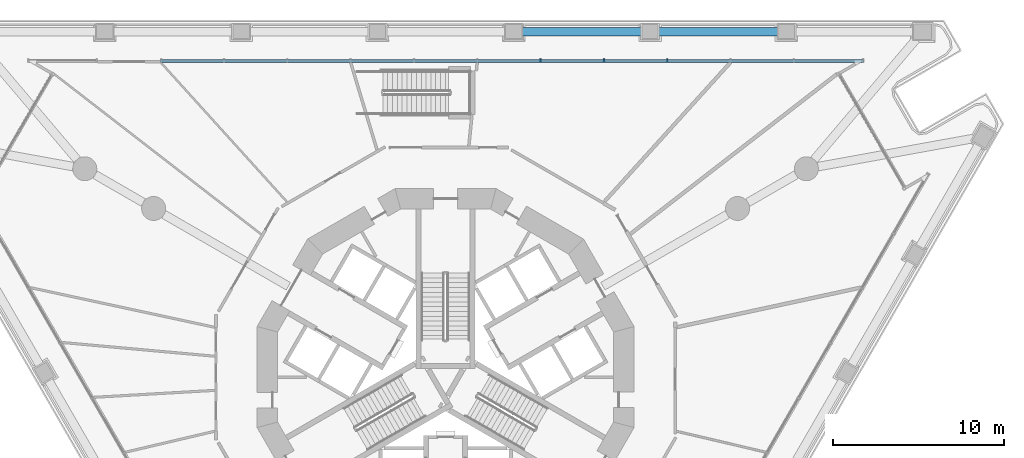
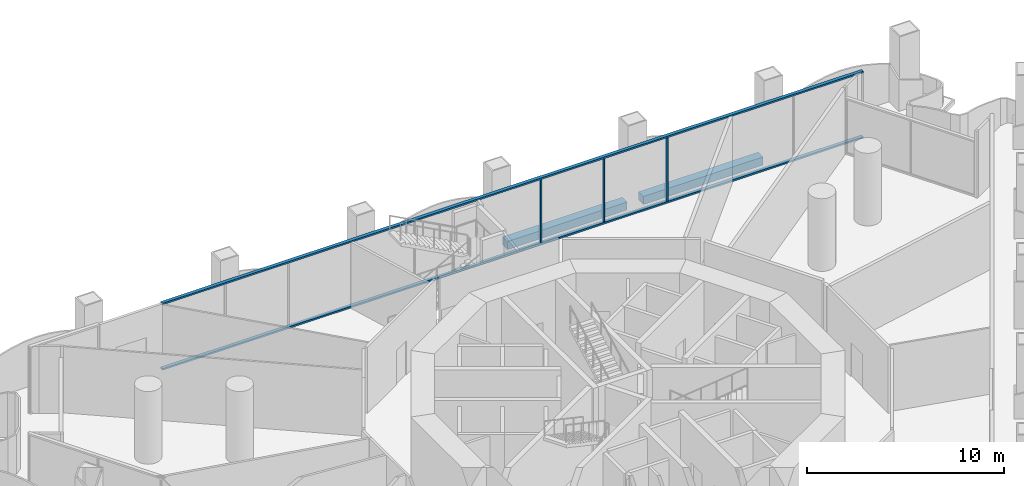
# One storey, part 8 of 23: 5 members, 2 beams, 1 element without a shape of its own.
"""IFC4 building model written with IfcOpenShell, lengths in metres."""

from ifc_helpers import new_model, si_unit, direction, frame, origin, origin_2d, place, context, subcontext, project, spatial, rectangle, extrude, material, layer, layer_set, material_profile, profile_set, type_object, element, aggregate, save


model = new_model("IFC4")

# Units and contexts
model_context = context("Model", 3, precision=1e-05, world=origin(), true_north=direction((0.0, 1.0)))
body_context = subcontext(model_context, "Body", "Model", "MODEL_VIEW")
ifc_project = project(units=[si_unit("LENGTHUNIT", "METRE"), si_unit("AREAUNIT", "SQUARE_METRE"), si_unit("VOLUMEUNIT", "CUBIC_METRE"), si_unit("PLANEANGLEUNIT", "RADIAN"), si_unit("MASSUNIT", "GRAM", prefix="KILO")], contexts=[model_context])

# Site, building, storey
site_placement = place(None, origin())
site = spatial("IfcSite", under=ifc_project, at=site_placement, CompositionType="ELEMENT")
building_placement = place(site_placement, origin())
building = spatial("IfcBuilding", under=site, at=building_placement, Name="Trine Commons Tower", CompositionType="ELEMENT")
storey_placement = place(building_placement, frame((0.0, 0.0, 18.0)))
storey = spatial("IfcBuildingStorey", under=building, at=storey_placement, Name="L03", CompositionType="ELEMENT", Elevation=18.0)

# Curtain wall, members
ifc_material_1 = material(Name="Podium glazing: anodised aluminium frame with low-emissivity double glazed unit", Category="aluminium")
ifc_layer = layer(ifc_material_1, 0.199951171875)
ifc_layer_set = layer_set([ifc_layer], Name="Podium glazing: anodised aluminium frame with low-emissivity double glazed unit")
curtain_wall_type = type_object("IfcCurtainWallType", Name="Podium glazing curtain wall CW3", PredefinedType="NOTDEFINED", material=ifc_layer_set)
curtain_wall_placement = place(storey_placement, origin())
curtain_wall = element("IfcCurtainWall", 1, at=curtain_wall_placement, inside=storey, type_object=curtain_wall_type, Name="Podium glazing L03 F1.2", PredefinedType="NOTDEFINED")
ifc_material_2 = material(Name="Anodised aluminium, bronze finish", Category="aluminium")
ifc_material_profile_1 = material_profile(ifc_material_2, rectangle(XDim=0.199951171875, YDim=0.074951171875, at=origin_2d()), Name="Mullion 75x200")
ifc_profile_set_1 = profile_set([ifc_material_profile_1], Name="Anodised aluminium, bronze finish")
member_type_1 = type_object("IfcMemberType", Name="Mullion 75x200, Anodised aluminium, bronze finish", PredefinedType="MULLION", material=ifc_profile_set_1)
member_1_placement = place(storey_placement, frame((85.548095703125, 80.984619140625, 0.10009765625), z_axis=(0.0, 0.0, 1.0), x_axis=(0.0, 1.0, 0.0)))
member_1 = element("IfcMember", 2, at=member_1_placement, type_object=member_type_1, Name="CW3 mullion 7.1", PredefinedType="MULLION", context=body_context, shape_type="SweptSolid", body=[
    extrude(rectangle(XDim=0.199951171875, YDim=0.074951171875, at=origin_2d()), origin(), (0.0, 0.0, 1.0), 3.949951171875),
])
member_2_placement = place(storey_placement, frame((89.2470703125, 80.984619140625, 0.10009765625), z_axis=(0.0, 0.0, 1.0), x_axis=(0.0, 1.0, 0.0)))
member_2 = element("IfcMember", 3, at=member_2_placement, type_object=member_type_1, Name="CW3 mullion 8.1", PredefinedType="MULLION", context=body_context, shape_type="SweptSolid", body=[
    extrude(rectangle(XDim=0.199951171875, YDim=0.074951171875, at=origin_2d()), origin(), (0.0, 0.0, 1.0), 3.949951171875),
])
member_3_placement = place(storey_placement, frame((92.94580078125, 80.984619140625, 0.10009765625), z_axis=(0.0, 0.0, 1.0), x_axis=(0.0, 1.0, 0.0)))
member_3 = element("IfcMember", 4, at=member_3_placement, type_object=member_type_1, Name="CW3 mullion 9.1", PredefinedType="MULLION", context=body_context, shape_type="SweptSolid", body=[
    extrude(rectangle(XDim=0.199951171875, YDim=0.074951171875, at=origin_2d()), origin(), (0.0, 0.0, 1.0), 3.949951171875),
])

# Beams
ifc_material_3 = material(Name="Concrete C50/60", Category="concrete")
ifc_material_profile_2 = material_profile(ifc_material_3, rectangle(XDim=0.5, YDim=0.5, at=origin_2d()), Name="RC 500x500")
ifc_profile_set_2 = profile_set([ifc_material_profile_2], Name="Concrete C50/60")
beam_type = type_object("IfcBeamType", Name="RC beam 500x500, C50/60", PredefinedType="BEAM", material=ifc_profile_set_2)
beam_1_placement = place(storey_placement, frame((84.456787109375, 82.6845703125, -0.60009765625), z_axis=(1.0, 0.0, 0.0), x_axis=(0.0, 1.0, 0.0)))
element("IfcBeam", 5, at=beam_1_placement, inside=storey, type_object=beam_type, Name="Beam EB1-12 L03", PredefinedType="BEAM", context=body_context, shape_type="SweptSolid", body=[
    extrude(rectangle(XDim=0.5, YDim=0.5, at=origin_2d()), origin(), (0.0, 0.0, 1.0), 7.013427734375),
])
beam_2_placement = place(storey_placement, frame((92.420166015625, 82.6845703125, -0.60009765625), z_axis=(1.0, 0.0, 0.0), x_axis=(0.0, 1.0, 0.0)))
element("IfcBeam", 6, at=beam_2_placement, inside=storey, type_object=beam_type, Name="Beam EB1-13 L03", PredefinedType="BEAM", context=body_context, shape_type="SweptSolid", body=[
    extrude(rectangle(XDim=0.5, YDim=0.5, at=origin_2d()), origin(), (0.0, 0.0, 1.0), 7.01318359375),
])

# Member
ifc_material_profile_3 = material_profile(ifc_material_2, rectangle(XDim=0.199951171875, YDim=0.10009765625, at=origin_2d()), Name="Transom 100x200")
ifc_profile_set_3 = profile_set([ifc_material_profile_3], Name="Anodised aluminium, bronze finish")
member_type_2 = type_object("IfcMemberType", Name="Transom 100x200, Anodised aluminium, bronze finish", PredefinedType="USERDEFINED", material=ifc_profile_set_3)
member_4_placement = place(storey_placement, frame((63.354736328125, 80.984619140625, 0.050048828125), z_axis=(1.0, 0.0, 0.0), x_axis=(0.0, 1.0, 0.0)))
member_4 = element("IfcMember", 7, at=member_4_placement, type_object=member_type_2, Name="CW3 transom T00", ObjectType="TRANSOM", PredefinedType="USERDEFINED", context=body_context, shape_type="SweptSolid", body=[
    extrude(rectangle(XDim=0.199951171875, YDim=0.10009765625, at=origin_2d()), origin(), (0.0, 0.0, 1.0), 41.0615234375),
])

member_5_placement = place(storey_placement, frame((63.354736328125, 80.984619140625, 4.10009765625), z_axis=(1.0, 0.0, 0.0), x_axis=(0.0, 1.0, 0.0)))
member_5 = element("IfcMember", 8, at=member_5_placement, type_object=member_type_2, Name="CW3 transom TH00", ObjectType="TRANSOM", PredefinedType="USERDEFINED", context=body_context, shape_type="SweptSolid", body=[
    extrude(rectangle(XDim=0.199951171875, YDim=0.10009765625, at=origin_2d()), origin(), (0.0, 0.0, 1.0), 41.0615234375),
])

aggregate(curtain_wall, [member_4, member_5, member_1, member_2, member_3])

save(model, "model.ifc")
